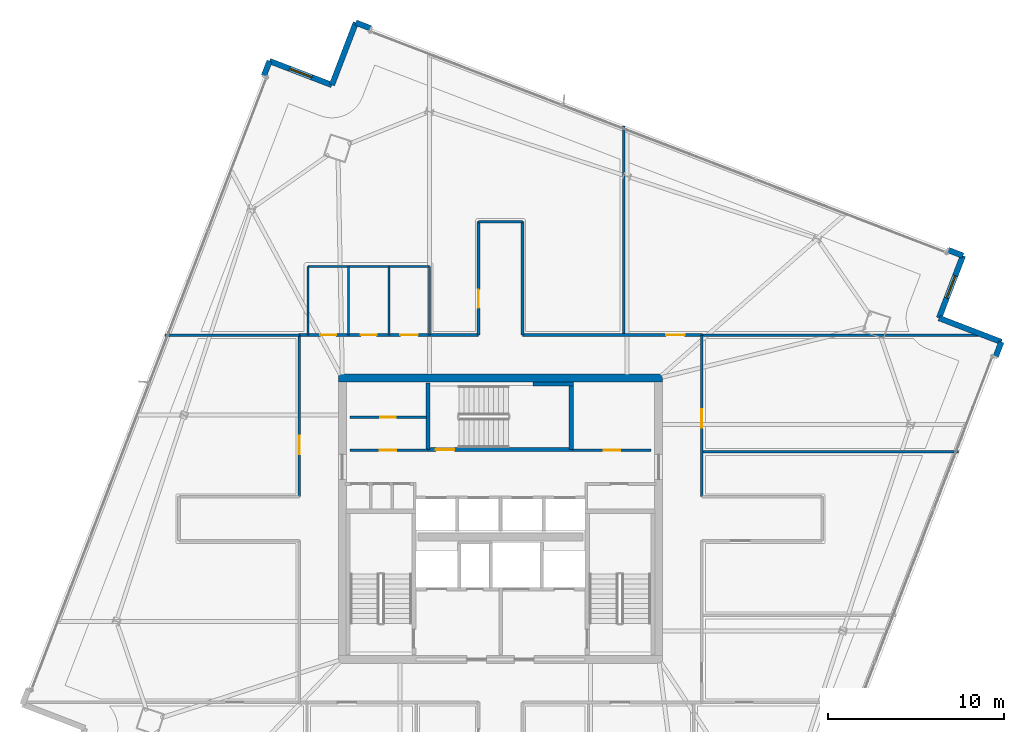
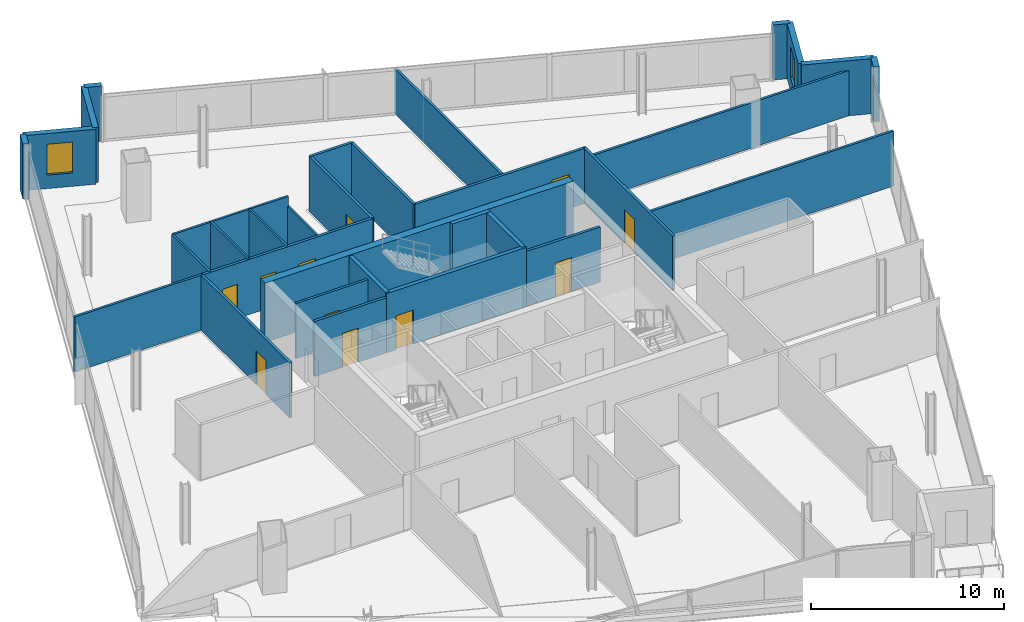
# One storey, part 21 of 27: 32 walls, 11 doors, 2 windows, 13 openings.
"""IFC4 building model written with IfcOpenShell, lengths in metres."""

import ifcopenshell
import ifcopenshell.guid

model = None  # the IFC model being written
_history = None  # IfcOwnerHistory: only IFC2X3 demands one
_inside = {}  # id of a spatial element -> (the spatial element, [elements in it])
_under = {}  # id of a project, library or spatial element -> (it, [spatial elements below it])
_declared = {}  # id of a project -> (the project, [libraries it declares])
_typed = {}  # id of a type object -> (the type object, [elements of that type])
_made_of = {}  # id of a material, layer set ... -> (it, [elements and type objects made of it])


def new_model(schema):
    """Start an empty IFC model of exactly this schema.

    Asked for "IFC4X3", IfcOpenShell would pick the latest addendum, in which some entities
    have other attributes; the version numbers below select the first issue.
    IFC2X3 requires an IfcOwnerHistory on every rooted entity: one is made here for all.
    """
    global model, _history
    if schema == "IFC4X3":
        model = ifcopenshell.file(schema_version=(4, 3, 0, 0))
    else:
        model = ifcopenshell.file(schema=schema)
    _inside.clear()
    _under.clear()
    _declared.clear()
    _typed.clear()
    _made_of.clear()
    _history = None
    if model.schema == "IFC2X3":
        org = make("IfcOrganization", Name="unknown")
        user = make(
            "IfcPersonAndOrganization",
            ThePerson=make("IfcPerson", FamilyName="unknown"),
            TheOrganization=org,
        )
        app = make(
            "IfcApplication",
            ApplicationDeveloper=org,
            Version="unknown",
            ApplicationFullName="unknown",
            ApplicationIdentifier="unknown",
        )
        _history = make(
            "IfcOwnerHistory",
            OwningUser=user,
            OwningApplication=app,
            ChangeAction="ADDED",
            CreationDate=0,
        )
    return model


def make(cls, **values):
    """One entity of the class cls with the attributes given. An attribute that is None is left unset."""
    return model.create_entity(
        cls, **{name: value for name, value in values.items() if value is not None}
    )


def rooted(cls, **values):
    """An entity with a GlobalId (a new one), such as an element, a storey or a relation."""
    return make(cls, GlobalId=ifcopenshell.guid.new(), OwnerHistory=_history, **values)


def si_unit(unit_type, name, prefix=None):
    """IfcSIUnit, for example si_unit("LENGTHUNIT", "METRE", prefix="MILLI")."""
    return make("IfcSIUnit", UnitType=unit_type, Prefix=prefix, Name=name)


def assignment(units):
    """IfcUnitAssignment: the units of a project."""
    return None if units is None else make("IfcUnitAssignment", Units=units)


def point(xyz):
    """IfcCartesianPoint."""
    return None if xyz is None else make("IfcCartesianPoint", Coordinates=xyz)


def direction(xyz):
    """IfcDirection."""
    return None if xyz is None else make("IfcDirection", DirectionRatios=xyz)


def frame(location, z_axis=None, x_axis=None):
    """IfcAxis2Placement3D, a coordinate frame: its origin and axes. An axis left out is left unset."""
    return make(
        "IfcAxis2Placement3D",
        Location=point(location),
        Axis=direction(z_axis),
        RefDirection=direction(x_axis),
    )


def frame_2d(location, x_axis=None):
    """IfcAxis2Placement2D, a coordinate frame in the plane: its origin and x axis."""
    return make(
        "IfcAxis2Placement2D", Location=point(location), RefDirection=direction(x_axis)
    )


def origin():
    """The frame at (0, 0, 0) with its axes left unset."""
    return frame((0.0, 0.0, 0.0))


def place(relative_to, where):
    """IfcLocalPlacement: puts the frame where relative to a parent placement (None: the world)."""
    return make(
        "IfcLocalPlacement", PlacementRelTo=relative_to, RelativePlacement=where
    )


def context(
    kind, dimensions, precision=None, world=None, true_north=None, identifier=None
):
    """IfcGeometricRepresentationContext, for example the 3D "Model" context."""
    return make(
        "IfcGeometricRepresentationContext",
        ContextIdentifier=identifier,
        ContextType=kind,
        CoordinateSpaceDimension=dimensions,
        Precision=precision,
        WorldCoordinateSystem=world,
        TrueNorth=true_north,
    )


def subcontext(parent, identifier, kind, view, scale=None):
    """IfcGeometricRepresentationSubContext, for example "Body" below "Model"."""
    return make(
        "IfcGeometricRepresentationSubContext",
        ContextIdentifier=identifier,
        ContextType=kind,
        ParentContext=parent,
        TargetScale=scale,
        TargetView=view,
    )


def project(units=None, contexts=None):
    """IfcProject with its units and contexts."""
    return rooted(
        "IfcProject",
        Name="project",
        RepresentationContexts=contexts,
        UnitsInContext=assignment(units),
    )


def spatial(cls, under=None, at=None, **own):
    """A site, building, storey or space (cls), placed at a placement, below another one or the project."""
    s = rooted(cls, ObjectPlacement=at, **own)
    if under is not None:
        _under.setdefault(under.id(), (under, []))[1].append(s)
    return s


def profile(cls, at=None, kind="AREA", **sizes):
    """A parametric profile (cls). Its sizes go by their IFC names, for example OverallWidth=200.0."""
    return make(cls, ProfileType=kind, Position=at, **sizes)


def rectangle(**sizes):
    """IfcRectangleProfileDef."""
    return profile("IfcRectangleProfileDef", **sizes)


def extrude(swept, where, along, depth):
    """IfcExtrudedAreaSolid: the profile swept, set in the frame where, extruded along a direction by depth."""
    return make(
        "IfcExtrudedAreaSolid",
        SweptArea=swept,
        Position=where,
        ExtrudedDirection=direction(along),
        Depth=depth,
    )


def shape(context_of_items, identifier, shape_type, items):
    """IfcShapeRepresentation: the items that make up one representation, for example the "Body"."""
    return make(
        "IfcShapeRepresentation",
        ContextOfItems=context_of_items,
        RepresentationIdentifier=identifier,
        RepresentationType=shape_type,
        Items=items,
    )


def material(Name=None, Category=None):
    """IfcMaterial."""
    return make("IfcMaterial", Name=Name, Category=Category)


def layer(
    of_material, thickness, ventilated=None, Name=None, Category=None, Priority=None
):
    """IfcMaterialLayer: one layer of a wall or slab, of a material (None: an air gap)."""
    return make(
        "IfcMaterialLayer",
        Material=of_material,
        LayerThickness=thickness,
        IsVentilated=ventilated,
        Name=Name,
        Category=Category,
        Priority=Priority,
    )


def layer_set(layers, Name=None):
    """IfcMaterialLayerSet."""
    return make("IfcMaterialLayerSet", MaterialLayers=layers, LayerSetName=Name)


def made_of(thing, what):
    """Note that an element or type object is made of a material, layer set ...; save() writes the relation."""
    if what is not None:
        _made_of.setdefault(what.id(), (what, []))[1].append(thing)
    return thing


def type_object(cls, material=None, **own):
    """A type object (cls), such as IfcWallType, which elements share."""
    return made_of(rooted(cls, **own), material)


def element(
    cls,
    number,
    at=None,
    inside=None,
    cuts=None,
    type_object=None,
    material=None,
    context=None,
    identifier="Body",
    shape_type=None,
    held_by="IfcProductDefinitionShape",
    body=None,
    shapes=None,
    **own,
):
    """One element of the class cls, such as IfcWall. Its Tag is "e" and its number.

    at: its placement. inside: the storey or other place that contains it. cuts: it is an
    opening in that element (IfcRelVoidsElement). A single representation is given by context,
    identifier, shape_type and body (its items); several are given by shapes. held_by: the class
    of the entity that holds the representations. save() writes the other relations.
    """
    e = rooted(cls, Tag="e%d" % number, ObjectPlacement=at, **own)
    if body is not None:
        shapes = [shape(context, identifier, shape_type, body)]
    if shapes is not None:
        e.Representation = make(held_by, Representations=shapes)
    if inside is not None:
        _inside.setdefault(inside.id(), (inside, []))[1].append(e)
    if cuts is not None:
        rooted(
            "IfcRelVoidsElement", RelatingBuildingElement=cuts, RelatedOpeningElement=e
        )
    if type_object is not None:
        _typed.setdefault(type_object.id(), (type_object, []))[1].append(e)
    return made_of(e, material)


def fill(opening, filler):
    """IfcRelFillsElement: the door or window that sits in an opening."""
    return rooted(
        "IfcRelFillsElement",
        RelatingOpeningElement=opening,
        RelatedBuildingElement=filler,
    )


def aggregate(whole, parts):
    """IfcRelAggregates: a whole, such as a stair, and the parts it consists of."""
    return rooted("IfcRelAggregates", RelatingObject=whole, RelatedObjects=parts)


def save(model, path):
    """Write the relations noted so far, then the file.

    IfcRelAggregates (storeys below a building ...), IfcRelContainedInSpatialStructure (elements
    in a storey), IfcRelDefinesByType, IfcRelAssociatesMaterial and IfcRelDeclares: one each for
    every whole, place, type object, material and project.
    """
    for whole, parts in _under.values():
        aggregate(whole, parts)
    for where, things in _inside.values():
        rooted(
            "IfcRelContainedInSpatialStructure",
            RelatedElements=things,
            RelatingStructure=where,
        )
    for kind, things in _typed.values():
        rooted("IfcRelDefinesByType", RelatedObjects=things, RelatingType=kind)
    for what, things in _made_of.values():
        rooted("IfcRelAssociatesMaterial", RelatedObjects=things, RelatingMaterial=what)
    for by, libraries in _declared.values():
        rooted("IfcRelDeclares", RelatingContext=by, RelatedDefinitions=libraries)
    model.write(path)


model = new_model("IFC4")

# Units and contexts
model_context = context("Model", 3, precision=1e-05, world=origin(), true_north=direction((0.0, 1.0)))
body_context = subcontext(model_context, "Body", "Model", "MODEL_VIEW")
ifc_project = project(units=[si_unit("LENGTHUNIT", "METRE"), si_unit("AREAUNIT", "SQUARE_METRE"), si_unit("VOLUMEUNIT", "CUBIC_METRE"), si_unit("PLANEANGLEUNIT", "RADIAN"), si_unit("MASSUNIT", "GRAM", prefix="KILO")], contexts=[model_context])

# Site, building, storey
site_placement = place(None, origin())
site = spatial("IfcSite", under=ifc_project, at=site_placement, CompositionType="ELEMENT")
building_placement = place(site_placement, origin())
building = spatial("IfcBuilding", under=site, at=building_placement, Name="Haldenkirk Collegiate Tower", CompositionType="ELEMENT")
storey_placement = place(building_placement, frame((0.0, 0.0, 259.949951171875)))
storey = spatial("IfcBuildingStorey", under=building, at=storey_placement, Name="L65", CompositionType="ELEMENT", Elevation=259.949951171875)

# Walls
ifc_material_1 = material(Name="Concrete f'c 55 MPa", Category="concrete")
ifc_layer_1 = layer(ifc_material_1, 0.449951171875)
ifc_layer_set_1 = layer_set([ifc_layer_1], Name="Concrete f'c 55 MPa")
wall_type_1 = type_object("IfcWallType", Name="WL-CORE-450", PredefinedType="SHEAR", material=ifc_layer_set_1)
wall_1_placement = place(storey_placement, frame((26.77490234375, 34.0, 0.0), z_axis=(0.0, 0.0, 1.0), x_axis=(1.0, 0.0, 0.0)))
element("IfcWall", 1, at=wall_1_placement, inside=storey, type_object=wall_type_1, Name="L65 central core shear wall N", PredefinedType="SHEAR", context=body_context, shape_type="SweptSolid", body=[
    extrude(rectangle(XDim=18.4501953125, YDim=0.449951171875, at=frame_2d((9.22509765625, 0.0))), origin(), (0.0, 0.0, 1.0), 3.75),
])
ifc_material_2 = material(Name="Precast concrete f'c 40 MPa", Category="concrete")
ifc_layer_2 = layer(ifc_material_2, 0.320068359375)
ifc_layer_set_2 = layer_set([ifc_layer_2], Name="Precast concrete f'c 40 MPa")
wall_type_2 = type_object("IfcWallType", Name="WL-EXT-TWR-320", PredefinedType="STANDARD", material=ifc_layer_set_2)
wall_2_placement = place(storey_placement, frame((64.496337890625, 36.0556640625, 0.0), z_axis=(0.0, 0.0, 1.0), x_axis=(-0.358397236741, -0.933569183669, 0.0)))
element("IfcWall", 2, at=wall_2_placement, inside=storey, type_object=wall_type_2, Name="L65 precast corner pier SL", PredefinedType="STANDARD", context=body_context, shape_type="SweptSolid", body=[
    extrude(rectangle(XDim=0.89990234375, YDim=0.320068359375, at=frame_2d((0.449951171875, 0.0))), origin(), (0.0, 0.0, 1.0), 3.47998046875),
])
wall_3_placement = place(storey_placement, frame((60.94873046875, 37.41748046875, 0.0), z_axis=(0.0, 0.0, 1.0), x_axis=(0.933578885152, -0.35837196486, 0.0)))
element("IfcWall", 3, at=wall_3_placement, inside=storey, type_object=wall_type_2, Name="L65 bronze precast notch wall 02", PredefinedType="STANDARD", context=body_context, shape_type="SweptSolid", body=[
    extrude(rectangle(XDim=3.800048828125, YDim=0.320068359375, at=frame_2d((1.89990234375, 0.0))), origin(), (0.0, 0.0, 1.0), 3.47998046875),
])

# Wall, opening, window
wall_4_placement = place(storey_placement, frame((62.310546875, 40.965087890625, 0.0), z_axis=(0.0, 0.0, 1.0), x_axis=(-0.35837196486, -0.933578885152, 0.0)))
wall_4 = element("IfcWall", 4, at=wall_4_placement, inside=storey, type_object=wall_type_2, Name="L65 bronze precast notch wall 03", PredefinedType="STANDARD", context=body_context, shape_type="SweptSolid", body=[
    extrude(rectangle(XDim=3.800048828125, YDim=0.320068359375, at=frame_2d((1.89990234375, 0.0))), origin(), (0.0, 0.0, 1.0), 3.47998046875),
])
opening_1_placement = place(wall_4_placement, frame((1.22509765625, 0.0, 0.85009765625)))
opening_1 = element("IfcOpeningElement", 5, at=opening_1_placement, cuts=wall_4, Name="Opening W-07", PredefinedType="OPENING", context=body_context, shape_type="SweptSolid", body=[
    extrude(rectangle(XDim=1.35009765625, YDim=1.949951171875, at=frame_2d((0.675048828125, 0.97509765625))), frame((0.0, 0.169921875, 0.0), z_axis=(0.0, -1.0, 0.0), x_axis=(1.0, 0.0, 0.0)), (0.0, 0.0, 1.0), 0.340087890625),
])
ifc_material_3 = material(Name="Low-E argon triple insulating glass", Category="glass")
ifc_layer_3 = layer(ifc_material_3, 0.090087890625)
ifc_layer_set_3 = layer_set([ifc_layer_3], Name="Low-E argon triple insulating glass")
window_type = type_object("IfcWindowType", Name="WN-Z5-1350X1950", PartitioningType="SINGLE_PANEL", PredefinedType="WINDOW", material=ifc_layer_set_3)
window_1_placement = place(opening_1_placement, origin())
window_1 = element("IfcWindow", 6, at=window_1_placement, inside=storey, type_object=window_type, Name="L65 precast-frame academic window 2", OverallHeight=1.949951171875, OverallWidth=1.35009765625, PartitioningType="SINGLE_PANEL", PredefinedType="WINDOW", context=body_context, shape_type="SweptSolid", body=[
    extrude(rectangle(XDim=1.35009765625, YDim=1.949951171875, at=frame_2d((0.675048828125, 0.97509765625))), frame((0.0, 0.030029296875, 0.0), z_axis=(0.0, -1.0, 0.0), x_axis=(1.0, 0.0, 0.0)), (0.0, 0.0, 1.0), 0.06005859375),
])
fill(opening_1, window_1)

# Walls
wall_5_placement = place(storey_placement, frame((27.76806640625, 54.224609375, 0.0), z_axis=(0.0, 0.0, 1.0), x_axis=(0.933604019499, -0.358306481626, 0.0)))
element("IfcWall", 7, at=wall_5_placement, inside=storey, type_object=wall_type_2, Name="L65 precast corner pier EL", PredefinedType="STANDARD", context=body_context, shape_type="SweptSolid", body=[
    extrude(rectangle(XDim=0.900146484375, YDim=0.320068359375, at=frame_2d((0.4501953125, 0.0))), origin(), (0.0, 0.0, 1.0), 3.47998046875),
])
wall_6_placement = place(storey_placement, frame((61.470458984375, 41.28759765625, 0.0), z_axis=(0.0, 0.0, 1.0), x_axis=(0.933569183669, -0.358397236741, 0.0)))
element("IfcWall", 8, at=wall_6_placement, inside=storey, type_object=wall_type_2, Name="L65 precast corner pier ER", PredefinedType="STANDARD", context=body_context, shape_type="SweptSolid", body=[
    extrude(rectangle(XDim=0.89990234375, YDim=0.320068359375, at=frame_2d((0.449951171875, 0.0))), origin(), (0.0, 0.0, 1.0), 3.47998046875),
])
wall_7_placement = place(storey_placement, frame((26.40625, 50.677001953125, 0.0), z_axis=(0.0, 0.0, 1.0), x_axis=(0.35837196486, 0.933578885152, 0.0)))
element("IfcWall", 9, at=wall_7_placement, inside=storey, type_object=wall_type_2, Name="L65 bronze precast notch wall 05", PredefinedType="STANDARD", context=body_context, shape_type="SweptSolid", body=[
    extrude(rectangle(XDim=3.800048828125, YDim=0.320068359375, at=frame_2d((1.89990234375, 0.0))), origin(), (0.0, 0.0, 1.0), 3.47998046875),
])

# Wall, opening, window
wall_8_placement = place(storey_placement, frame((22.858642578125, 52.038818359375, 0.0), z_axis=(0.0, 0.0, 1.0), x_axis=(0.933578885152, -0.35837196486, 0.0)))
wall_8 = element("IfcWall", 10, at=wall_8_placement, inside=storey, type_object=wall_type_2, Name="L65 bronze precast notch wall 06", PredefinedType="STANDARD", context=body_context, shape_type="SweptSolid", body=[
    extrude(rectangle(XDim=3.800048828125, YDim=0.320068359375, at=frame_2d((1.89990234375, 0.0))), origin(), (0.0, 0.0, 1.0), 3.47998046875),
])
opening_2_placement = place(wall_8_placement, frame((1.22509765625, 0.0, 0.85009765625)))
opening_2 = element("IfcOpeningElement", 11, at=opening_2_placement, cuts=wall_8, Name="Opening W-07", PredefinedType="OPENING", context=body_context, shape_type="SweptSolid", body=[
    extrude(rectangle(XDim=1.35009765625, YDim=1.949951171875, at=frame_2d((0.675048828125, 0.97509765625))), frame((0.0, 0.169921875, 0.0), z_axis=(0.0, -1.0, 0.0), x_axis=(1.0, 0.0, 0.0)), (0.0, 0.0, 1.0), 0.340087890625),
])
window_2_placement = place(opening_2_placement, origin())
window_2 = element("IfcWindow", 12, at=window_2_placement, inside=storey, type_object=window_type, Name="L65 precast-frame academic window 5", OverallHeight=1.949951171875, OverallWidth=1.35009765625, PartitioningType="SINGLE_PANEL", PredefinedType="WINDOW", context=body_context, shape_type="SweptSolid", body=[
    extrude(rectangle(XDim=1.35009765625, YDim=1.949951171875, at=frame_2d((0.675048828125, 0.97509765625))), frame((0.0, 0.030029296875, 0.0), z_axis=(0.0, -1.0, 0.0), x_axis=(1.0, 0.0, 0.0)), (0.0, 0.0, 1.0), 0.06005859375),
])
fill(opening_2, window_2)

# Wall
wall_9_placement = place(storey_placement, frame((22.5361328125, 51.19873046875, 0.0), z_axis=(0.0, 0.0, 1.0), x_axis=(0.358397236741, 0.933569183669, 0.0)))
element("IfcWall", 13, at=wall_9_placement, inside=storey, type_object=wall_type_2, Name="L65 precast corner pier NR", PredefinedType="STANDARD", context=body_context, shape_type="SweptSolid", body=[
    extrude(rectangle(XDim=0.89990234375, YDim=0.320068359375, at=frame_2d((0.449951171875, 0.0))), origin(), (0.0, 0.0, 1.0), 3.47998046875),
])

# Wall, opening, door
ifc_material_4 = material(Name="Acoustic fire-rated gypsum partition", Category="concrete")
ifc_layer_4 = layer(ifc_material_4, 0.159912109375)
ifc_layer_set_4 = layer_set([ifc_layer_4], Name="Acoustic fire-rated gypsum partition")
wall_type_3 = type_object("IfcWallType", Name="WL-INT-CORR-160", PredefinedType="PARTITIONING", material=ifc_layer_set_4)
wall_10_placement = place(storey_placement, frame((27.449951171875, 29.89990234375, 0.0), z_axis=(0.0, 0.0, 1.0), x_axis=(1.0, 0.0, 0.0)))
wall_10 = element("IfcWall", 14, at=wall_10_placement, inside=storey, type_object=wall_type_3, Name="L65 interior partition IW-L65-PLS", PredefinedType="PARTITIONING", context=body_context, shape_type="SweptSolid", body=[
    extrude(rectangle(XDim=4.429931640625, YDim=0.159912109375, at=frame_2d((2.21484375, 0.0))), origin(), (0.0, 0.0, 1.0), 3.47998046875),
])
opening_3_placement = place(wall_10_placement, frame((1.675048828125, 0.0, 0.0)))
opening_3 = element("IfcOpeningElement", 15, at=opening_3_placement, cuts=wall_10, Name="Opening D-10", PredefinedType="OPENING", context=body_context, shape_type="SweptSolid", body=[
    extrude(rectangle(XDim=0.949951171875, YDim=2.14990234375, at=frame_2d((0.47509765625, 1.074951171875))), frame((0.0, 0.08984375, 0.0), z_axis=(0.0, -1.0, 0.0), x_axis=(1.0, 0.0, 0.0)), (0.0, 0.0, 1.0), 0.179931640625),
])
ifc_material_5 = material(Name="Solid-core architectural oak fire door", Category="wood")
ifc_layer_5 = layer(ifc_material_5, 0.06005859375)
ifc_layer_set_5 = layer_set([ifc_layer_5], Name="Solid-core architectural oak fire door")
door_type_1 = type_object("IfcDoorType", Name="DR-INT-FD60-950", OperationType="NOTDEFINED", PredefinedType="DOOR", material=ifc_layer_set_5)
door_1_placement = place(opening_3_placement, origin())
door_1 = element("IfcDoor", 16, at=door_1_placement, inside=storey, type_object=door_type_1, Name="L65 consultation door", OperationType="SINGLE_SWING_LEFT", OverallHeight=2.14990234375, OverallWidth=0.949951171875, PredefinedType="DOOR", context=body_context, shape_type="SweptSolid", body=[
    extrude(rectangle(XDim=0.949951171875, YDim=2.14990234375, at=frame_2d((0.47509765625, 1.074951171875))), frame((0.0, 0.02490234375, 0.0), z_axis=(0.0, -1.0, 0.0), x_axis=(1.0, 0.0, 0.0)), (0.0, 0.0, 1.0), 0.050048828125),
])
fill(opening_3, door_1)

wall_11_placement = place(storey_placement, frame((40.1201171875, 29.89990234375, 0.0), z_axis=(0.0, 0.0, 1.0), x_axis=(1.0, 0.0, 0.0)))
wall_11 = element("IfcWall", 17, at=wall_11_placement, inside=storey, type_object=wall_type_3, Name="L65 interior partition IW-L65-PMS", PredefinedType="PARTITIONING", context=body_context, shape_type="SweptSolid", body=[
    extrude(rectangle(XDim=4.429931640625, YDim=0.159912109375, at=frame_2d((2.21484375, 0.0))), origin(), (0.0, 0.0, 1.0), 3.47998046875),
])
opening_4_placement = place(wall_11_placement, frame((1.7548828125, 0.0, 0.0)))
opening_4 = element("IfcOpeningElement", 18, at=opening_4_placement, cuts=wall_11, Name="Opening D-10", PredefinedType="OPENING", context=body_context, shape_type="SweptSolid", body=[
    extrude(rectangle(XDim=0.949951171875, YDim=2.14990234375, at=frame_2d((0.47509765625, 1.074951171875))), frame((0.0, 0.08984375, 0.0), z_axis=(0.0, -1.0, 0.0), x_axis=(1.0, 0.0, 0.0)), (0.0, 0.0, 1.0), 0.179931640625),
])
door_2_placement = place(opening_4_placement, origin())
door_2 = element("IfcDoor", 19, at=door_2_placement, inside=storey, type_object=door_type_1, Name="L65 reference archive door", OperationType="SINGLE_SWING_LEFT", OverallHeight=2.14990234375, OverallWidth=0.949951171875, PredefinedType="DOOR", context=body_context, shape_type="SweptSolid", body=[
    extrude(rectangle(XDim=0.949951171875, YDim=2.14990234375, at=frame_2d((0.47509765625, 1.074951171875))), frame((0.0, 0.02490234375, 0.0), z_axis=(0.0, -1.0, 0.0), x_axis=(1.0, 0.0, 0.0)), (0.0, 0.0, 1.0), 0.050048828125),
])
fill(opening_4, door_2)

# Wall, openings, doors
wall_12_placement = place(storey_placement, frame((24.5, 36.449951171875, 0.0), z_axis=(0.0, 0.0, 1.0), x_axis=(1.0, 0.0, 0.0)))
wall_12 = element("IfcWall", 20, at=wall_12_placement, inside=storey, type_object=wall_type_3, Name="L65 interior partition IW-L65-CN1", PredefinedType="PARTITIONING", context=body_context, shape_type="SweptSolid", body=[
    extrude(rectangle(XDim=10.25, YDim=0.159912109375, at=frame_2d((5.125, 0.0))), origin(), (0.0, 0.0, 1.0), 3.47998046875),
])
opening_5_placement = place(wall_12_placement, frame((1.25, 0.0, 0.0)))
opening_5 = element("IfcOpeningElement", 21, at=opening_5_placement, cuts=wall_12, Name="Opening D-13", PredefinedType="OPENING", context=body_context, shape_type="SweptSolid", body=[
    extrude(rectangle(XDim=0.89990234375, YDim=2.14990234375, at=frame_2d((0.449951171875, 1.074951171875))), frame((0.0, 0.08984375, 0.0), z_axis=(0.0, -1.0, 0.0), x_axis=(1.0, 0.0, 0.0)), (0.0, 0.0, 1.0), 0.179931640625),
])
opening_6_placement = place(wall_12_placement, frame((3.550048828125, 0.0, 0.0)))
opening_6 = element("IfcOpeningElement", 22, at=opening_6_placement, cuts=wall_12, Name="Opening D-13", PredefinedType="OPENING", context=body_context, shape_type="SweptSolid", body=[
    extrude(rectangle(XDim=0.89990234375, YDim=2.14990234375, at=frame_2d((0.449951171875, 1.074951171875))), frame((0.0, 0.08984375, 0.0), z_axis=(0.0, -1.0, 0.0), x_axis=(1.0, 0.0, 0.0)), (0.0, 0.0, 1.0), 0.179931640625),
])
opening_7_placement = place(wall_12_placement, frame((5.800048828125, 0.0, 0.0)))
opening_7 = element("IfcOpeningElement", 23, at=opening_7_placement, cuts=wall_12, Name="Opening D-14", PredefinedType="OPENING", context=body_context, shape_type="SweptSolid", body=[
    extrude(rectangle(XDim=1.0, YDim=2.14990234375, at=frame_2d((0.5, 1.074951171875))), frame((0.0, 0.08984375, 0.0), z_axis=(0.0, -1.0, 0.0), x_axis=(1.0, 0.0, 0.0)), (0.0, 0.0, 1.0), 0.179931640625),
])
ifc_layer_6 = layer(ifc_material_5, 0.06005859375)
ifc_layer_set_6 = layer_set([ifc_layer_6], Name="Solid-core architectural oak fire door")
door_type_2 = type_object("IfcDoorType", Name="DR-INT-ACC-1000", OperationType="NOTDEFINED", PredefinedType="DOOR", material=ifc_layer_set_6)
door_3_placement = place(opening_7_placement, origin())
door_3 = element("IfcDoor", 24, at=door_3_placement, inside=storey, type_object=door_type_2, Name="L65 Accessible WC door", OperationType="SINGLE_SWING_RIGHT", OverallHeight=2.14990234375, OverallWidth=1.0, PredefinedType="DOOR", context=body_context, shape_type="SweptSolid", body=[
    extrude(rectangle(XDim=1.0, YDim=2.14990234375, at=frame_2d((0.5, 1.074951171875))), frame((0.0, 0.02490234375, 0.0), z_axis=(0.0, -1.0, 0.0), x_axis=(1.0, 0.0, 0.0)), (0.0, 0.0, 1.0), 0.050048828125),
])
fill(opening_7, door_3)
ifc_layer_7 = layer(ifc_material_5, 0.06005859375)
ifc_layer_set_7 = layer_set([ifc_layer_7], Name="Solid-core architectural oak fire door")
door_type_3 = type_object("IfcDoorType", Name="DR-INT-STD-900", OperationType="NOTDEFINED", PredefinedType="DOOR", material=ifc_layer_set_7)
door_4_placement = place(opening_5_placement, origin())
door_4 = element("IfcDoor", 25, at=door_4_placement, inside=storey, type_object=door_type_3, Name="L65 Male WC door", OperationType="SINGLE_SWING_RIGHT", OverallHeight=2.14990234375, OverallWidth=0.89990234375, PredefinedType="DOOR", context=body_context, shape_type="SweptSolid", body=[
    extrude(rectangle(XDim=0.89990234375, YDim=2.14990234375, at=frame_2d((0.449951171875, 1.074951171875))), frame((0.0, 0.02490234375, 0.0), z_axis=(0.0, -1.0, 0.0), x_axis=(1.0, 0.0, 0.0)), (0.0, 0.0, 1.0), 0.050048828125),
])
fill(opening_5, door_4)
door_5_placement = place(opening_6_placement, origin())
door_5 = element("IfcDoor", 26, at=door_5_placement, inside=storey, type_object=door_type_3, Name="L65 Female WC door", OperationType="SINGLE_SWING_LEFT", OverallHeight=2.14990234375, OverallWidth=0.89990234375, PredefinedType="DOOR", context=body_context, shape_type="SweptSolid", body=[
    extrude(rectangle(XDim=0.89990234375, YDim=2.14990234375, at=frame_2d((0.449951171875, 1.074951171875))), frame((0.0, 0.02490234375, 0.0), z_axis=(0.0, -1.0, 0.0), x_axis=(1.0, 0.0, 0.0)), (0.0, 0.0, 1.0), 0.050048828125),
])
fill(opening_6, door_5)

# Wall, opening, door
wall_13_placement = place(storey_placement, frame((37.25, 36.449951171875, 0.0), z_axis=(0.0, 0.0, 1.0), x_axis=(1.0, 0.0, 0.0)))
wall_13 = element("IfcWall", 27, at=wall_13_placement, inside=storey, type_object=wall_type_3, Name="L65 interior partition IW-L65-CN2", PredefinedType="PARTITIONING", context=body_context, shape_type="SweptSolid", body=[
    extrude(rectangle(XDim=10.25, YDim=0.159912109375, at=frame_2d((5.125, 0.0))), origin(), (0.0, 0.0, 1.0), 3.47998046875),
])
opening_8_placement = place(wall_13_placement, frame((8.178955078125, 0.0, 0.0)))
opening_8 = element("IfcOpeningElement", 28, at=opening_8_placement, cuts=wall_13, Name="Opening D-09", PredefinedType="OPENING", context=body_context, shape_type="SweptSolid", body=[
    extrude(rectangle(XDim=1.050048828125, YDim=2.14990234375, at=frame_2d((0.52490234375, 1.074951171875))), frame((0.0, 0.08984375, 0.0), z_axis=(0.0, -1.0, 0.0), x_axis=(1.0, 0.0, 0.0)), (0.0, 0.0, 1.0), 0.179931640625),
])
ifc_layer_8 = layer(ifc_material_5, 0.06005859375)
ifc_layer_set_8 = layer_set([ifc_layer_8], Name="Solid-core architectural oak fire door")
door_type_4 = type_object("IfcDoorType", Name="DR-INT-FD60-1050", OperationType="NOTDEFINED", PredefinedType="DOOR", material=ifc_layer_set_8)
door_6_placement = place(opening_8_placement, origin())
door_6 = element("IfcDoor", 29, at=door_6_placement, inside=storey, type_object=door_type_4, Name="L65 Wet Science Laboratory 7 door", OperationType="SINGLE_SWING_LEFT", OverallHeight=2.14990234375, OverallWidth=1.050048828125, PredefinedType="DOOR", context=body_context, shape_type="SweptSolid", body=[
    extrude(rectangle(XDim=1.050048828125, YDim=2.14990234375, at=frame_2d((0.52490234375, 1.074951171875))), frame((0.0, 0.02490234375, 0.0), z_axis=(0.0, -1.0, 0.0), x_axis=(1.0, 0.0, 0.0)), (0.0, 0.0, 1.0), 0.050048828125),
])
fill(opening_8, door_6)

wall_14_placement = place(storey_placement, frame((24.550048828125, 27.25, 0.0), z_axis=(0.0, 0.0, 1.0), x_axis=(0.0, 1.0, 0.0)))
wall_14 = element("IfcWall", 30, at=wall_14_placement, inside=storey, type_object=wall_type_3, Name="L65 interior partition IW-L65-CW2", PredefinedType="PARTITIONING", context=body_context, shape_type="SweptSolid", body=[
    extrude(rectangle(XDim=9.199951171875, YDim=0.159912109375, at=frame_2d((4.60009765625, 0.0))), origin(), (0.0, 0.0, 1.0), 3.47998046875),
])
opening_9_placement = place(wall_14_placement, frame((2.4189453125, 0.0, 0.0)))
opening_9 = element("IfcOpeningElement", 31, at=opening_9_placement, cuts=wall_14, Name="Opening D-09", PredefinedType="OPENING", context=body_context, shape_type="SweptSolid", body=[
    extrude(rectangle(XDim=1.050048828125, YDim=2.14990234375, at=frame_2d((0.52490234375, 1.074951171875))), frame((0.0, 0.08984375, 0.0), z_axis=(0.0, -1.0, 0.0), x_axis=(1.0, 0.0, 0.0)), (0.0, 0.0, 1.0), 0.179931640625),
])
door_7_placement = place(opening_9_placement, origin())
door_7 = element("IfcDoor", 32, at=door_7_placement, inside=storey, type_object=door_type_4, Name="L65 Computational Design Studio 8 door", OperationType="SINGLE_SWING_RIGHT", OverallHeight=2.14990234375, OverallWidth=1.050048828125, PredefinedType="DOOR", context=body_context, shape_type="SweptSolid", body=[
    extrude(rectangle(XDim=1.050048828125, YDim=2.14990234375, at=frame_2d((0.52490234375, 1.074951171875))), frame((0.0, 0.02490234375, 0.0), z_axis=(0.0, -1.0, 0.0), x_axis=(1.0, 0.0, 0.0)), (0.0, 0.0, 1.0), 0.050048828125),
])
fill(opening_9, door_7)

wall_15_placement = place(storey_placement, frame((47.449951171875, 27.25, 0.0), z_axis=(0.0, 0.0, 1.0), x_axis=(0.0, 1.0, 0.0)))
wall_15 = element("IfcWall", 33, at=wall_15_placement, inside=storey, type_object=wall_type_3, Name="L65 interior partition IW-L65-CE2", PredefinedType="PARTITIONING", context=body_context, shape_type="SweptSolid", body=[
    extrude(rectangle(XDim=9.199951171875, YDim=0.159912109375, at=frame_2d((4.60009765625, 0.0))), origin(), (0.0, 0.0, 1.0), 3.47998046875),
])
opening_10_placement = place(wall_15_placement, frame((3.927001953125, 0.0, 0.0)))
opening_10 = element("IfcOpeningElement", 34, at=opening_10_placement, cuts=wall_15, Name="Opening D-09", PredefinedType="OPENING", context=body_context, shape_type="SweptSolid", body=[
    extrude(rectangle(XDim=1.050048828125, YDim=2.14990234375, at=frame_2d((0.52490234375, 1.074951171875))), frame((0.0, 0.08984375, 0.0), z_axis=(0.0, -1.0, 0.0), x_axis=(1.0, 0.0, 0.0)), (0.0, 0.0, 1.0), 0.179931640625),
])
door_8_placement = place(opening_10_placement, origin())
door_8 = element("IfcDoor", 35, at=door_8_placement, inside=storey, type_object=door_type_4, Name="L65 Optics Research Laboratory 11 door", OperationType="SINGLE_SWING_LEFT", OverallHeight=2.14990234375, OverallWidth=1.050048828125, PredefinedType="DOOR", context=body_context, shape_type="SweptSolid", body=[
    extrude(rectangle(XDim=1.050048828125, YDim=2.14990234375, at=frame_2d((0.52490234375, 1.074951171875))), frame((0.0, 0.02490234375, 0.0), z_axis=(0.0, -1.0, 0.0), x_axis=(1.0, 0.0, 0.0)), (0.0, 0.0, 1.0), 0.050048828125),
])
fill(opening_10, door_8)

wall_16_placement = place(storey_placement, frame((34.75, 36.449951171875, 0.0), z_axis=(0.0, 0.0, 1.0), x_axis=(0.0, 1.0, 0.0)))
wall_16 = element("IfcWall", 36, at=wall_16_placement, inside=storey, type_object=wall_type_3, Name="L65 interior partition IW-L65-NPW", PredefinedType="PARTITIONING", context=body_context, shape_type="SweptSolid", body=[
    extrude(rectangle(XDim=6.449951171875, YDim=0.159912109375, at=frame_2d((3.22509765625, 0.0))), origin(), (0.0, 0.0, 1.0), 3.47998046875),
])
opening_11_placement = place(wall_16_placement, frame((1.5390625, 0.0, 0.0)))
opening_11 = element("IfcOpeningElement", 37, at=opening_11_placement, cuts=wall_16, Name="Opening D-09", PredefinedType="OPENING", context=body_context, shape_type="SweptSolid", body=[
    extrude(rectangle(XDim=1.050048828125, YDim=2.14990234375, at=frame_2d((0.52490234375, 1.074951171875))), frame((0.0, 0.08984375, 0.0), z_axis=(0.0, -1.0, 0.0), x_axis=(1.0, 0.0, 0.0)), (0.0, 0.0, 1.0), 0.179931640625),
])
door_9_placement = place(opening_11_placement, origin())
door_9 = element("IfcDoor", 38, at=door_9_placement, inside=storey, type_object=door_type_4, Name="L65 Bioengineering Laboratory 6 door", OperationType="SINGLE_SWING_RIGHT", OverallHeight=2.14990234375, OverallWidth=1.050048828125, PredefinedType="DOOR", context=body_context, shape_type="SweptSolid", body=[
    extrude(rectangle(XDim=1.050048828125, YDim=2.14990234375, at=frame_2d((0.52490234375, 1.074951171875))), frame((0.0, 0.02490234375, 0.0), z_axis=(0.0, -1.0, 0.0), x_axis=(1.0, 0.0, 0.0)), (0.0, 0.0, 1.0), 0.050048828125),
])
fill(opening_11, door_9)

# Walls
wall_17_placement = place(storey_placement, frame((37.25, 36.449951171875, 0.0), z_axis=(0.0, 0.0, 1.0), x_axis=(0.0, 1.0, 0.0)))
element("IfcWall", 39, at=wall_17_placement, inside=storey, type_object=wall_type_3, Name="L65 interior partition IW-L65-NPE", PredefinedType="PARTITIONING", context=body_context, shape_type="SweptSolid", body=[
    extrude(rectangle(XDim=6.449951171875, YDim=0.159912109375, at=frame_2d((3.22509765625, 0.0))), origin(), (0.0, 0.0, 1.0), 3.47998046875),
])
wall_18_placement = place(storey_placement, frame((34.75, 42.89990234375, 0.0), z_axis=(0.0, 0.0, 1.0), x_axis=(1.0, 0.0, 0.0)))
element("IfcWall", 40, at=wall_18_placement, inside=storey, type_object=wall_type_3, Name="L65 interior partition IW-L65-NPN", PredefinedType="PARTITIONING", context=body_context, shape_type="SweptSolid", body=[
    extrude(rectangle(XDim=2.5, YDim=0.159912109375, at=frame_2d((1.25, 0.0))), origin(), (0.0, 0.0, 1.0), 3.47998046875),
])

# Wall, opening, door
ifc_layer_9 = layer(ifc_material_4, 0.139892578125)
ifc_layer_set_9 = layer_set([ifc_layer_9], Name="Acoustic fire-rated gypsum partition")
wall_type_4 = type_object("IfcWallType", Name="WL-INT-DIV-140", PredefinedType="PARTITIONING", material=ifc_layer_set_9)
wall_19_placement = place(storey_placement, frame((27.449951171875, 31.780029296875, 0.0), z_axis=(0.0, 0.0, 1.0), x_axis=(1.0, 0.0, 0.0)))
wall_19 = element("IfcWall", 41, at=wall_19_placement, inside=storey, type_object=wall_type_4, Name="L65 interior partition IW-L65-PLDIVH", PredefinedType="PARTITIONING", context=body_context, shape_type="SweptSolid", body=[
    extrude(rectangle(XDim=4.35009765625, YDim=0.139892578125, at=frame_2d((2.175048828125, 0.0))), origin(), (0.0, 0.0, 1.0), 3.47998046875),
])
opening_12_placement = place(wall_19_placement, frame((1.699951171875, 0.0, 0.0)))
opening_12 = element("IfcOpeningElement", 42, at=opening_12_placement, cuts=wall_19, Name="Opening D-13", PredefinedType="OPENING", context=body_context, shape_type="SweptSolid", body=[
    extrude(rectangle(XDim=0.89990234375, YDim=2.14990234375, at=frame_2d((0.449951171875, 1.074951171875))), frame((0.0, 0.079833984375, 0.0), z_axis=(0.0, -1.0, 0.0), x_axis=(1.0, 0.0, 0.0)), (0.0, 0.0, 1.0), 0.159912109375),
])
door_10_placement = place(opening_12_placement, origin())
door_10 = element("IfcDoor", 43, at=door_10_placement, inside=storey, type_object=door_type_3, Name="L65 folio vault door", OperationType="SINGLE_SWING_RIGHT", OverallHeight=2.14990234375, OverallWidth=0.89990234375, PredefinedType="DOOR", context=body_context, shape_type="SweptSolid", body=[
    extrude(rectangle(XDim=0.89990234375, YDim=2.14990234375, at=frame_2d((0.449951171875, 1.074951171875))), frame((0.0, 0.02490234375, 0.0), z_axis=(0.0, -1.0, 0.0), x_axis=(1.0, 0.0, 0.0)), (0.0, 0.0, 1.0), 0.050048828125),
])
fill(opening_12, door_10)

# Walls
wall_20_placement = place(storey_placement, frame((16.91748046875, 36.449951171875, 0.0), z_axis=(0.0, 0.0, 1.0), x_axis=(1.0, 0.0, 0.0)))
element("IfcWall", 44, at=wall_20_placement, inside=storey, type_object=wall_type_4, Name="L65 interior partition IW-L65-BWN", PredefinedType="PARTITIONING", context=body_context, shape_type="SweptSolid", body=[
    extrude(rectangle(XDim=7.632568359375, YDim=0.139892578125, at=frame_2d((3.81640625, 0.0))), origin(), (0.0, 0.0, 1.0), 3.47998046875),
])
wall_21_placement = place(storey_placement, frame((47.449951171875, 36.449951171875, 0.0), z_axis=(0.0, 0.0, 1.0), x_axis=(1.0, 0.0, 0.0)))
element("IfcWall", 45, at=wall_21_placement, inside=storey, type_object=wall_type_4, Name="L65 interior partition IW-L65-BEN", PredefinedType="PARTITIONING", context=body_context, shape_type="SweptSolid", body=[
    extrude(rectangle(XDim=15.90771484375, YDim=0.139892578125, at=frame_2d((7.953857421875, 0.0))), origin(), (0.0, 0.0, 1.0), 2.858154296875),
])
wall_22_placement = place(storey_placement, frame((43.0, 36.449951171875, 0.0), z_axis=(0.0, 0.0, 1.0), x_axis=(0.0, 1.0, 0.0)))
element("IfcWall", 46, at=wall_22_placement, inside=storey, type_object=wall_type_4, Name="L65 interior partition IW-L65-RN1", PredefinedType="PARTITIONING", context=body_context, shape_type="SweptSolid", body=[
    extrude(rectangle(XDim=11.885009765625, YDim=0.139892578125, at=frame_2d((5.9423828125, 0.0))), origin(), (0.0, 0.0, 1.0), 2.858154296875),
])
wall_23_placement = place(storey_placement, frame((47.449951171875, 29.800048828125, 0.0), z_axis=(0.0, 0.0, 1.0), x_axis=(1.0, 0.0, 0.0)))
element("IfcWall", 47, at=wall_23_placement, inside=storey, type_object=wall_type_4, Name="L65 interior partition IW-L65-RE2", PredefinedType="PARTITIONING", context=body_context, shape_type="SweptSolid", body=[
    extrude(rectangle(XDim=14.602294921875, YDim=0.139892578125, at=frame_2d((7.30126953125, 0.0))), origin(), (0.0, 0.0, 1.0), 3.47998046875),
])
ifc_layer_10 = layer(ifc_material_4, 0.1201171875)
ifc_layer_set_10 = layer_set([ifc_layer_10], Name="Acoustic fire-rated gypsum partition")
wall_type_5 = type_object("IfcWallType", Name="WL-INT-WET-120", PredefinedType="PARTITIONING", material=ifc_layer_set_10)
for number, where, z_axis, x_axis, name in (
    (48, (25.050048828125, 36.449951171875, 0.0), (0.0, 0.0, 1.0), (0.0, 1.0, 0.0), "L65 interior partition IW-L65-WCW"),
    (49, (27.35009765625, 36.449951171875, 0.0), (0.0, 0.0, 1.0), (0.0, 1.0, 0.0), "L65 interior partition IW-L65-WC1"),
    (50, (29.64990234375, 36.449951171875, 0.0), (0.0, 0.0, 1.0), (0.0, 1.0, 0.0), "L65 interior partition IW-L65-WC2"),
):
    element("IfcWall", number, at=place(storey_placement, frame(where, z_axis=z_axis, x_axis=x_axis)), inside=storey, type_object=wall_type_5, Name=name, PredefinedType="PARTITIONING", context=body_context, shape_type="SweptSolid", body=[
        extrude(rectangle(XDim=3.900146484375, YDim=0.1201171875, at=frame_2d((1.9501953125, 0.0))), origin(), (0.0, 0.0, 1.0), 3.47998046875),
    ])
wall_24_placement = place(storey_placement, frame((31.949951171875, 36.449951171875, 0.0), z_axis=(0.0, 0.0, 1.0), x_axis=(0.0, 1.0, 0.0)))
element("IfcWall", 51, at=wall_24_placement, inside=storey, type_object=wall_type_5, Name="L65 interior partition IW-L65-WCE", PredefinedType="PARTITIONING", context=body_context, shape_type="SweptSolid", body=[
    extrude(rectangle(XDim=3.900146484375, YDim=0.1201171875, at=frame_2d((1.9501953125, 0.0))), origin(), (0.0, 0.0, 1.0), 2.858154296875),
])
wall_25_placement = place(storey_placement, frame((25.050048828125, 40.35009765625, 0.0), z_axis=(0.0, 0.0, 1.0), x_axis=(1.0, 0.0, 0.0)))
element("IfcWall", 52, at=wall_25_placement, inside=storey, type_object=wall_type_5, Name="L65 interior partition IW-L65-WCB", PredefinedType="PARTITIONING", context=body_context, shape_type="SweptSolid", body=[
    extrude(rectangle(XDim=6.89990234375, YDim=0.1201171875, at=frame_2d((3.449951171875, 0.0))), origin(), (0.0, 0.0, 1.0), 3.47998046875),
])

# Wall, opening, door
ifc_layer_11 = layer(ifc_material_1, 0.239990234375)
ifc_layer_set_11 = layer_set([ifc_layer_11], Name="Concrete f'c 55 MPa")
wall_type_6 = type_object("IfcWallType", Name="WL-SHAFT-240", PredefinedType="SHEAR", material=ifc_layer_set_11)
wall_26_placement = place(storey_placement, frame((31.760009765625, 29.929931640625, 0.0), z_axis=(0.0, 0.0, 1.0), x_axis=(1.0, 0.0, 0.0)))
wall_26 = element("IfcWall", 53, at=wall_26_placement, inside=storey, type_object=wall_type_6, Name="L65 stair shaft shear wall SW-L65-ST3S", PredefinedType="SHEAR", context=body_context, shape_type="SweptSolid", body=[
    extrude(rectangle(XDim=8.3798828125, YDim=0.239990234375, at=frame_2d((4.18994140625, 0.0))), origin(), (0.0, 0.0, 1.0), 3.75),
])
opening_13_placement = place(wall_26_placement, frame((0.56494140625, 0.0, 0.0)))
opening_13 = element("IfcOpeningElement", 54, at=opening_13_placement, cuts=wall_26, Name="Opening D-01", PredefinedType="OPENING", context=body_context, shape_type="SweptSolid", body=[
    extrude(rectangle(XDim=1.050048828125, YDim=2.14990234375, at=frame_2d((0.52490234375, 1.074951171875))), frame((0.0, 0.1298828125, 0.0), z_axis=(0.0, -1.0, 0.0), x_axis=(1.0, 0.0, 0.0)), (0.0, 0.0, 1.0), 0.260009765625),
])
ifc_material_6 = material(Name="Galvanized fire-rated hollow steel door", Category="steel")
ifc_layer_12 = layer(ifc_material_6, 0.06005859375)
ifc_layer_set_12 = layer_set([ifc_layer_12], Name="Galvanized fire-rated hollow steel door")
door_type_5 = type_object("IfcDoorType", Name="DR-STAIR-FD90-1050", OperationType="NOTDEFINED", PredefinedType="DOOR", material=ifc_layer_set_12)
door_11_placement = place(opening_13_placement, origin())
door_11 = element("IfcDoor", 55, at=door_11_placement, inside=storey, type_object=door_type_5, Name="L65 lift lobby Stair 3 door", OperationType="SINGLE_SWING_RIGHT", OverallHeight=2.14990234375, OverallWidth=1.050048828125, PredefinedType="DOOR", context=body_context, shape_type="SweptSolid", body=[
    extrude(rectangle(XDim=1.050048828125, YDim=2.14990234375, at=frame_2d((0.52490234375, 1.074951171875))), frame((0.0, 0.02490234375, 0.0), z_axis=(0.0, -1.0, 0.0), x_axis=(1.0, 0.0, 0.0)), (0.0, 0.0, 1.0), 0.050048828125),
])
fill(opening_13, door_11)

# Walls
wall_27_placement = place(storey_placement, frame((31.8798828125, 29.929931640625, 0.0), z_axis=(0.0, 0.0, 1.0), x_axis=(0.0, 1.0, 0.0)))
element("IfcWall", 56, at=wall_27_placement, inside=storey, type_object=wall_type_6, Name="L65 stair shaft shear wall SW-L65-ST3W", PredefinedType="SHEAR", context=body_context, shape_type="SweptSolid", body=[
    extrude(rectangle(XDim=3.7900390625, YDim=0.239990234375, at=frame_2d((1.89501953125, 0.0))), origin(), (0.0, 0.0, 1.0), 3.75),
])
wall_28_placement = place(storey_placement, frame((40.02001953125, 29.929931640625, 0.0), z_axis=(0.0, 0.0, 1.0), x_axis=(0.0, 1.0, 0.0)))
element("IfcWall", 57, at=wall_28_placement, inside=storey, type_object=wall_type_6, Name="L65 stair shaft shear wall SW-L65-ST3E", PredefinedType="SHEAR", context=body_context, shape_type="SweptSolid", body=[
    extrude(rectangle(XDim=3.85009765625, YDim=0.239990234375, at=frame_2d((1.925048828125, 0.0))), origin(), (0.0, 0.0, 1.0), 3.75),
])
wall_29_placement = place(storey_placement, frame((37.85009765625, 33.659912109375, 0.0), z_axis=(0.0, 0.0, 1.0), x_axis=(1.0, 0.0, 0.0)))
element("IfcWall", 58, at=wall_29_placement, inside=storey, type_object=wall_type_6, Name="L65 stair shaft shear wall SW-L65-ST3N", PredefinedType="SHEAR", context=body_context, shape_type="SweptSolid", body=[
    extrude(rectangle(XDim=2.289794921875, YDim=0.239990234375, at=frame_2d((1.14501953125, 0.0))), origin(), (0.0, 0.0, 1.0), 3.75),
])

save(model, "model.ifc")
